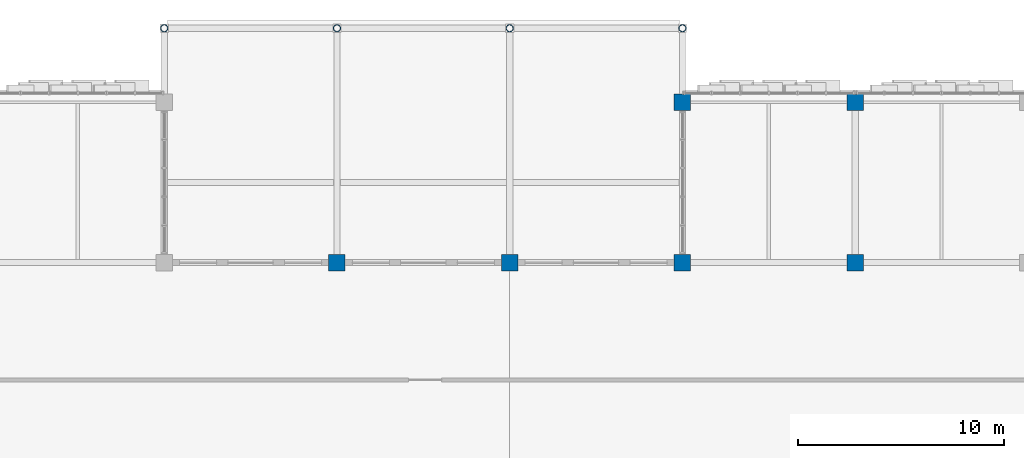
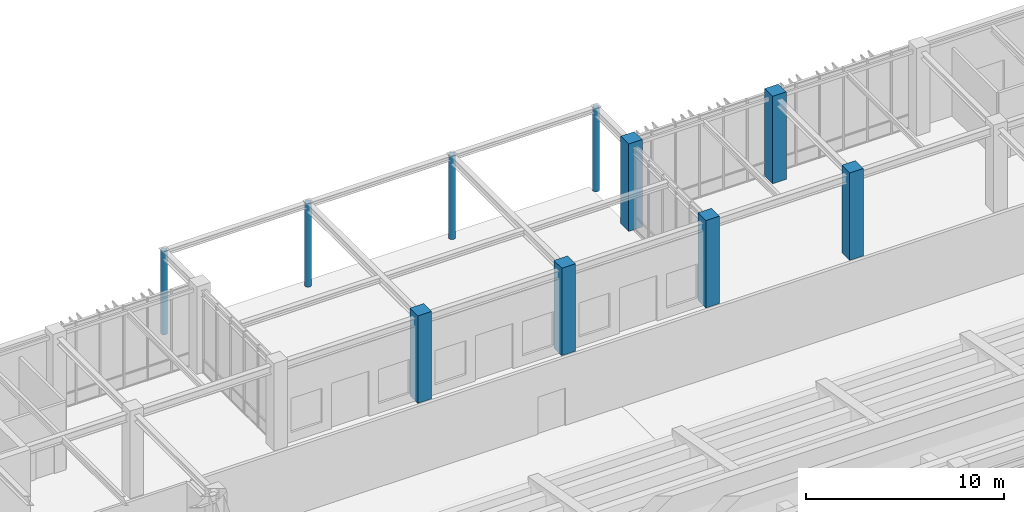
# One storey, part 6 of 122: 10 columns.
"""IFC4 building model written with IfcOpenShell, lengths in metres."""

from ifc_helpers import new_model, si_unit, direction, frame, origin, origin_2d, place, context, subcontext, project, spatial, rectangle, hollow_circle, extrude, material, material_profile, profile_set, type_object, element, save


model = new_model("IFC4")

# Units and contexts
model_context = context("Model", 3, precision=1e-05, world=origin(), true_north=direction((0.0, 1.0)))
body_context = subcontext(model_context, "Body", "Model", "MODEL_VIEW")
ifc_project = project(units=[si_unit("LENGTHUNIT", "METRE"), si_unit("AREAUNIT", "SQUARE_METRE"), si_unit("VOLUMEUNIT", "CUBIC_METRE"), si_unit("PLANEANGLEUNIT", "RADIAN"), si_unit("MASSUNIT", "GRAM", prefix="KILO")], contexts=[model_context])

# Site, building, storey
site_placement = place(None, origin())
site = spatial("IfcSite", under=ifc_project, at=site_placement, CompositionType="ELEMENT")
building_placement = place(site_placement, origin())
building = spatial("IfcBuilding", under=site, at=building_placement, Name="Zayran Congress Hotel", CompositionType="ELEMENT")
storey_placement = place(building_placement, origin())
storey = spatial("IfcBuildingStorey", under=building, at=storey_placement, Name="L00", CompositionType="ELEMENT", Elevation=0.0)

# Columns
ifc_material_1 = material(Name="Concrete C40/50", Category="concrete")
ifc_material_profile_1 = material_profile(ifc_material_1, rectangle(XDim=0.800048828125, YDim=0.800048828125, at=origin_2d()), Name="RC 800x800")
ifc_profile_set_1 = profile_set([ifc_material_profile_1], Name="Concrete C40/50")
column_type_1 = type_object("IfcColumnType", Name="TP-CL-02", PredefinedType="COLUMN", material=ifc_profile_set_1)
for number, where, z_axis, x_axis, name in (
    (1, (42.0, 109.60009765625, 0.0), (0.0, 0.0, 1.0), (1.0, 0.0, 0.0), "COL-V1-L00-0282"),
    (2, (50.39990234375, 109.60009765625, 0.0), (0.0, 0.0, 1.0), (1.0, 0.0, 0.0), "COL-V1-L00-0287"),
    (3, (58.800048828125, 109.60009765625, 0.0), (0.0, 0.0, 1.0), (1.0, 0.0, 0.0), "COL-V1-L00-0292"),
    (4, (58.800048828125, 117.39990234375, 0.0), (0.0, 0.0, 1.0), (1.0, 0.0, 0.0), "COL-V1-L00-0293"),
    (5, (67.199951171875, 109.60009765625, 0.0), (0.0, 0.0, 1.0), (1.0, 0.0, 0.0), "COL-V1-L00-0297"),
    (6, (67.199951171875, 117.39990234375, 0.0), (0.0, 0.0, 1.0), (1.0, 0.0, 0.0), "COL-V1-L00-0298"),
):
    element("IfcColumn", number, at=place(storey_placement, frame(where, z_axis=z_axis, x_axis=x_axis)), inside=storey, type_object=column_type_1, Name=name, PredefinedType="COLUMN", context=body_context, shape_type="SweptSolid", body=[
        extrude(rectangle(XDim=0.800048828125, YDim=0.800048828125, at=origin_2d()), origin(), (0.0, 0.0, 1.0), 5.39990234375),
    ])
ifc_material_2 = material(Name="Steel S355", Category="steel")
ifc_material_profile_2 = material_profile(ifc_material_2, hollow_circle(Radius=0.177734375, WallThickness=0.01611328125, at=origin_2d()), Name="CHS 355.6x16")
ifc_profile_set_2 = profile_set([ifc_material_profile_2], Name="Steel S355")
column_type_2 = type_object("IfcColumnType", Name="TP-CL-10", PredefinedType="COLUMN", material=ifc_profile_set_2)
for number, where, z_axis, x_axis, name in (
    (7, (33.60009765625, 121.0, 0.0), (0.0, 0.0, 1.0), (1.0, 0.0, 0.0), "COL-NCAN-1"),
    (8, (42.0, 121.0, 0.0), (0.0, 0.0, 1.0), (1.0, 0.0, 0.0), "COL-NCAN-2"),
    (9, (50.39990234375, 121.0, 0.0), (0.0, 0.0, 1.0), (1.0, 0.0, 0.0), "COL-NCAN-3"),
    (10, (58.800048828125, 121.0, 0.0), (0.0, 0.0, 1.0), (1.0, 0.0, 0.0), "COL-NCAN-4"),
):
    element("IfcColumn", number, at=place(storey_placement, frame(where, z_axis=z_axis, x_axis=x_axis)), inside=storey, type_object=column_type_2, Name=name, PredefinedType="COLUMN", context=body_context, shape_type="SweptSolid", body=[
        extrude(hollow_circle(Radius=0.177734375, WallThickness=0.01611328125, at=origin_2d()), origin(), (0.0, 0.0, 1.0), 5.159912109375),
    ])

save(model, "model.ifc")
